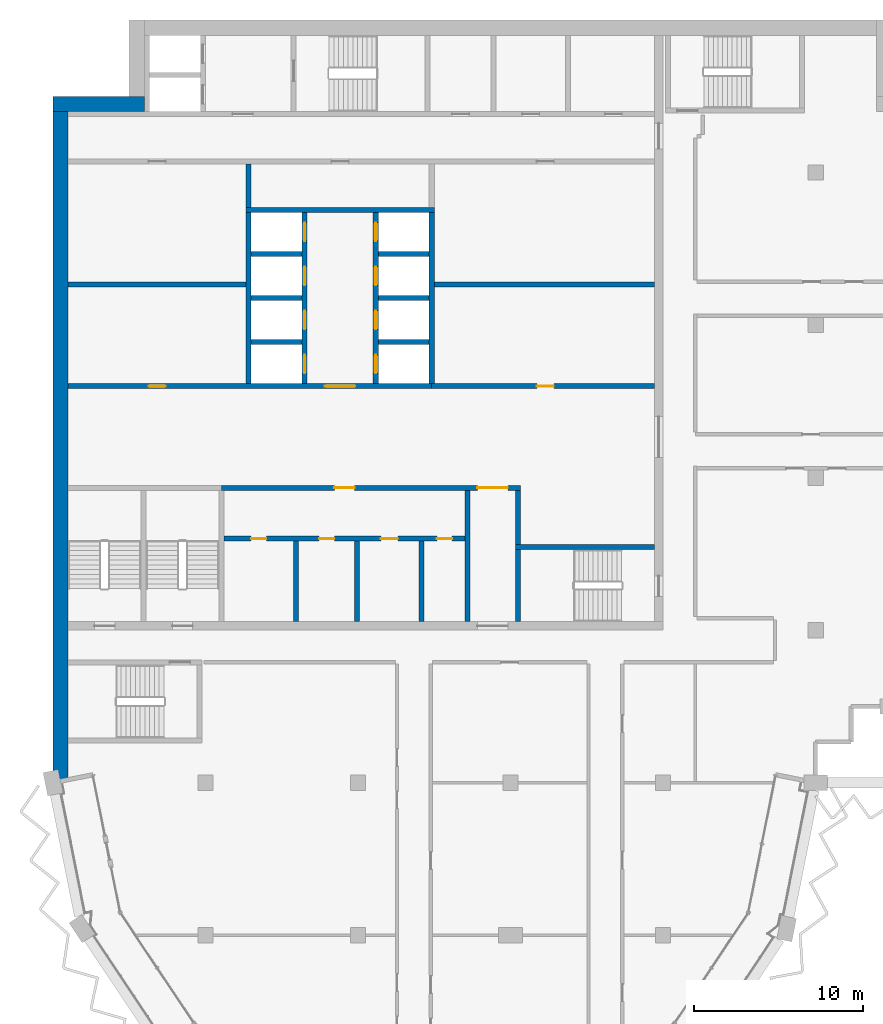
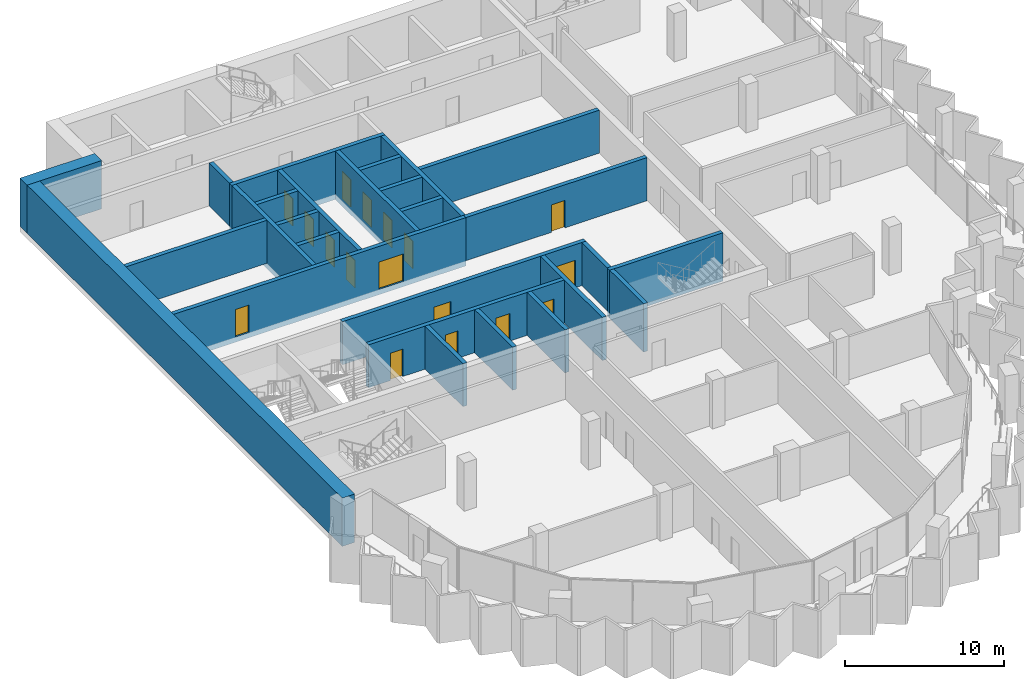
# One storey, part 8 of 14: 27 walls, 17 doors, 17 openings.
"""IFC4 building model written with IfcOpenShell, lengths in metres."""

from ifc_helpers import new_model, si_unit, direction, frame, frame_2d, origin, place, context, subcontext, project, spatial, rectangle, extrude, material, layer, layer_set, type_object, element, fill, save


model = new_model("IFC4")

# Units and contexts
model_context = context("Model", 3, precision=1e-05, world=origin(), true_north=direction((0.0, 1.0)))
body_context = subcontext(model_context, "Body", "Model", "MODEL_VIEW")
ifc_project = project(units=[si_unit("LENGTHUNIT", "METRE"), si_unit("AREAUNIT", "SQUARE_METRE"), si_unit("VOLUMEUNIT", "CUBIC_METRE"), si_unit("PLANEANGLEUNIT", "RADIAN"), si_unit("MASSUNIT", "GRAM", prefix="KILO")], contexts=[model_context])

# Site, building, storey
site_placement = place(None, origin())
site = spatial("IfcSite", under=ifc_project, at=site_placement, CompositionType="ELEMENT")
building_placement = place(site_placement, origin())
building = spatial("IfcBuilding", under=site, at=building_placement, Name="Hunhe Ridgeline Campus", CompositionType="ELEMENT")
storey_placement = place(building_placement, frame((0.0, 0.0, 284.5)))
storey = spatial("IfcBuildingStorey", under=building, at=storey_placement, Name="L73", CompositionType="ELEMENT", Elevation=284.5)

# Wall, openings, doors
ifc_material_1 = material(Name="Masonry concrete blockwork", Category="masonry")
ifc_layer_1 = layer(ifc_material_1, 0.300048828125)
ifc_layer_set_1 = layer_set([ifc_layer_1], Name="Core room partition 300 concrete block")
wall_type_1 = type_object("IfcWallType", Name="Core room partition 300 concrete block", PredefinedType="PARTITIONING", material=ifc_layer_set_1)
wall_1_placement = place(storey_placement, frame((10.10009765625, 68.39990234375, 0.0), z_axis=(0.0, 0.0, 1.0), x_axis=(1.0, 0.0, 0.0)))
wall_1 = element("IfcWall", 1, at=wall_1_placement, inside=storey, type_object=wall_type_1, Name="L73 core partition 5", PredefinedType="PARTITIONING", context=body_context, shape_type="SweptSolid", body=[
    extrude(rectangle(XDim=14.199951171875, YDim=0.300048828125, at=frame_2d((7.10009765625, 0.0))), origin(), (0.0, 0.0, 1.0), 3.300048828125),
])
opening_1_placement = place(wall_1_placement, frame((1.60009765625, 0.0, 0.0)))
opening_1 = element("IfcOpeningElement", 2, at=opening_1_placement, cuts=wall_1, Name="Opening CD8", PredefinedType="OPENING", context=body_context, shape_type="SweptSolid", body=[
    extrude(rectangle(XDim=0.89990234375, YDim=2.10009765625, at=frame_2d((0.449951171875, 1.050048828125))), frame((0.0, 0.14990234375, 0.0), z_axis=(0.0, -1.0, 0.0), x_axis=(1.0, 0.0, 0.0)), (0.0, 0.0, 1.0), 0.300048828125),
])
opening_2_placement = place(wall_1_placement, frame((5.60009765625, 0.0, 0.0)))
opening_2 = element("IfcOpeningElement", 3, at=opening_2_placement, cuts=wall_1, Name="Opening CD9", PredefinedType="OPENING", context=body_context, shape_type="SweptSolid", body=[
    extrude(rectangle(XDim=0.89990234375, YDim=2.10009765625, at=frame_2d((0.449951171875, 1.050048828125))), frame((0.0, 0.14990234375, 0.0), z_axis=(0.0, -1.0, 0.0), x_axis=(1.0, 0.0, 0.0)), (0.0, 0.0, 1.0), 0.300048828125),
])
opening_3_placement = place(wall_1_placement, frame((9.25, 0.0, 0.0)))
opening_3 = element("IfcOpeningElement", 4, at=opening_3_placement, cuts=wall_1, Name="Opening CD10", PredefinedType="OPENING", context=body_context, shape_type="SweptSolid", body=[
    extrude(rectangle(XDim=1.0, YDim=2.10009765625, at=frame_2d((0.5, 1.050048828125))), frame((0.0, 0.14990234375, 0.0), z_axis=(0.0, -1.0, 0.0), x_axis=(1.0, 0.0, 0.0)), (0.0, 0.0, 1.0), 0.300048828125),
])
opening_4_placement = place(wall_1_placement, frame((12.550048828125, 0.0, 0.0)))
opening_4 = element("IfcOpeningElement", 5, at=opening_4_placement, cuts=wall_1, Name="Opening CD11", PredefinedType="OPENING", context=body_context, shape_type="SweptSolid", body=[
    extrude(rectangle(XDim=0.89990234375, YDim=2.10009765625, at=frame_2d((0.449951171875, 1.050048828125))), frame((0.0, 0.14990234375, 0.0), z_axis=(0.0, -1.0, 0.0), x_axis=(1.0, 0.0, 0.0)), (0.0, 0.0, 1.0), 0.300048828125),
])
ifc_material_2 = material(Name="Solid core timber door leaf", Category="wood")
door_type_1 = type_object("IfcDoorType", Name="Timber door 1000x2100", OperationType="SINGLE_SWING_LEFT", PredefinedType="DOOR", material=ifc_material_2)
door_1_placement = place(opening_3_placement, frame((1.0, 0.0, 0.0), z_axis=(0.0, 0.0, 1.0), x_axis=(-1.0, 0.0, 0.0)))
door_1 = element("IfcDoor", 6, at=door_1_placement, inside=storey, type_object=door_type_1, Name="L73 door WC3", OperationType="SINGLE_SWING_LEFT", OverallHeight=2.10009765625, OverallWidth=1.0, PredefinedType="DOOR", context=body_context, shape_type="SweptSolid", body=[
    extrude(rectangle(XDim=1.0, YDim=2.10009765625, at=frame_2d((0.5, 1.050048828125))), frame((0.0, 0.02490234375, 0.0), z_axis=(0.0, -1.0, 0.0), x_axis=(1.0, 0.0, 0.0)), (0.0, 0.0, 1.0), 0.050048828125),
])
fill(opening_3, door_1)
door_type_2 = type_object("IfcDoorType", Name="Timber door 900x2100", OperationType="SINGLE_SWING_LEFT", PredefinedType="DOOR", material=ifc_material_2)
door_2_placement = place(opening_1_placement, frame((0.89990234375, 0.0, 0.0), z_axis=(0.0, 0.0, 1.0), x_axis=(-1.0, 0.0, 0.0)))
door_2 = element("IfcDoor", 7, at=door_2_placement, inside=storey, type_object=door_type_2, Name="L73 door WC1", OperationType="SINGLE_SWING_LEFT", OverallHeight=2.10009765625, OverallWidth=0.89990234375, PredefinedType="DOOR", context=body_context, shape_type="SweptSolid", body=[
    extrude(rectangle(XDim=0.89990234375, YDim=2.10009765625, at=frame_2d((0.449951171875, 1.050048828125))), frame((0.0, 0.02490234375, 0.0), z_axis=(0.0, -1.0, 0.0), x_axis=(1.0, 0.0, 0.0)), (0.0, 0.0, 1.0), 0.050048828125),
])
fill(opening_1, door_2)
door_3_placement = place(opening_2_placement, frame((0.89990234375, 0.0, 0.0), z_axis=(0.0, 0.0, 1.0), x_axis=(-1.0, 0.0, 0.0)))
door_3 = element("IfcDoor", 8, at=door_3_placement, inside=storey, type_object=door_type_2, Name="L73 door WC2", OperationType="SINGLE_SWING_RIGHT", OverallHeight=2.10009765625, OverallWidth=0.89990234375, PredefinedType="DOOR", context=body_context, shape_type="SweptSolid", body=[
    extrude(rectangle(XDim=0.89990234375, YDim=2.10009765625, at=frame_2d((0.449951171875, 1.050048828125))), frame((0.0, 0.02490234375, 0.0), z_axis=(0.0, -1.0, 0.0), x_axis=(1.0, 0.0, 0.0)), (0.0, 0.0, 1.0), 0.050048828125),
])
fill(opening_2, door_3)
door_4_placement = place(opening_4_placement, frame((0.89990234375, 0.0, 0.0), z_axis=(0.0, 0.0, 1.0), x_axis=(-1.0, 0.0, 0.0)))
door_4 = element("IfcDoor", 9, at=door_4_placement, inside=storey, type_object=door_type_2, Name="L73 door WC4", OperationType="SINGLE_SWING_RIGHT", OverallHeight=2.10009765625, OverallWidth=0.89990234375, PredefinedType="DOOR", context=body_context, shape_type="SweptSolid", body=[
    extrude(rectangle(XDim=0.89990234375, YDim=2.10009765625, at=frame_2d((0.449951171875, 1.050048828125))), frame((0.0, 0.02490234375, 0.0), z_axis=(0.0, -1.0, 0.0), x_axis=(1.0, 0.0, 0.0)), (0.0, 0.0, 1.0), 0.050048828125),
])
fill(opening_4, door_4)

wall_2_placement = place(storey_placement, frame((9.949951171875, 71.39990234375, 0.0), z_axis=(0.0, 0.0, 1.0), x_axis=(1.0, 0.0, 0.0)))
wall_2 = element("IfcWall", 10, at=wall_2_placement, inside=storey, type_object=wall_type_1, Name="L73 core partition 7", PredefinedType="PARTITIONING", context=body_context, shape_type="SweptSolid", body=[
    extrude(rectangle(XDim=17.650146484375, YDim=0.300048828125, at=frame_2d((8.8251953125, 0.0))), origin(), (0.0, 0.0, 1.0), 3.300048828125),
])
opening_5_placement = place(wall_2_placement, frame((15.10009765625, 0.0, 0.0)))
opening_5 = element("IfcOpeningElement", 11, at=opening_5_placement, cuts=wall_2, Name="Opening CD7", PredefinedType="OPENING", context=body_context, shape_type="SweptSolid", body=[
    extrude(rectangle(XDim=1.800048828125, YDim=2.10009765625, at=frame_2d((0.89990234375, 1.050048828125))), frame((0.0, 0.14990234375, 0.0), z_axis=(0.0, -1.0, 0.0), x_axis=(1.0, 0.0, 0.0)), (0.0, 0.0, 1.0), 0.300048828125),
])
opening_6_placement = place(wall_2_placement, frame((6.64990234375, 0.0, 0.0)))
opening_6 = element("IfcOpeningElement", 12, at=opening_6_placement, cuts=wall_2, Name="Opening CD37", PredefinedType="OPENING", context=body_context, shape_type="SweptSolid", body=[
    extrude(rectangle(XDim=1.199951171875, YDim=2.10009765625, at=frame_2d((0.60009765625, 1.050048828125))), frame((0.0, 0.14990234375, 0.0), z_axis=(0.0, -1.0, 0.0), x_axis=(1.0, 0.0, 0.0)), (0.0, 0.0, 1.0), 0.300048828125),
])
ifc_material_3 = material(Name="Anodised aluminium and glass", Category="aluminium")
door_type_3 = type_object("IfcDoorType", Name="Glazed double door 1800x2100", OperationType="DOUBLE_DOOR_SINGLE_SWING", PredefinedType="DOOR", material=ifc_material_3)
door_5_placement = place(opening_5_placement, origin())
door_5 = element("IfcDoor", 13, at=door_5_placement, inside=storey, type_object=door_type_3, Name="L73 door VEST-HALL", OperationType="DOUBLE_DOOR_SINGLE_SWING", OverallHeight=2.10009765625, OverallWidth=1.800048828125, PredefinedType="DOOR", context=body_context, shape_type="SweptSolid", body=[
    extrude(rectangle(XDim=1.800048828125, YDim=2.10009765625, at=frame_2d((0.89990234375, 1.050048828125))), frame((0.0, 0.02490234375, 0.0), z_axis=(0.0, -1.0, 0.0), x_axis=(1.0, 0.0, 0.0)), (0.0, 0.0, 1.0), 0.050048828125),
])
fill(opening_5, door_5)
door_type_4 = type_object("IfcDoorType", Name="Timber door 1200x2100", OperationType="SINGLE_SWING_LEFT", PredefinedType="DOOR", material=ifc_material_2)
door_6_placement = place(opening_6_placement, origin())
door_6 = element("IfcDoor", 14, at=door_6_placement, inside=storey, type_object=door_type_4, Name="L73 door WCL1-HALL", OperationType="SINGLE_SWING_RIGHT", OverallHeight=2.10009765625, OverallWidth=1.199951171875, PredefinedType="DOOR", context=body_context, shape_type="SweptSolid", body=[
    extrude(rectangle(XDim=1.199951171875, YDim=2.10009765625, at=frame_2d((0.60009765625, 1.050048828125))), frame((0.0, 0.02490234375, 0.0), z_axis=(0.0, -1.0, 0.0), x_axis=(1.0, 0.0, 0.0)), (0.0, 0.0, 1.0), 0.050048828125),
])
fill(opening_6, door_6)

# Wall, opening, door
wall_3_placement = place(storey_placement, frame((22.35009765625, 77.39990234375, 0.0), z_axis=(0.0, 0.0, 1.0), x_axis=(1.0, 0.0, 0.0)))
wall_3 = element("IfcWall", 15, at=wall_3_placement, inside=storey, type_object=wall_type_1, Name="L73 core partition 9", PredefinedType="PARTITIONING", context=body_context, shape_type="SweptSolid", body=[
    extrude(rectangle(XDim=13.14990234375, YDim=0.300048828125, at=frame_2d((6.574951171875, 0.0))), origin(), (0.0, 0.0, 1.0), 3.300048828125),
])
opening_7_placement = place(wall_3_placement, frame((6.199951171875, 0.0, 0.0)))
opening_7 = element("IfcOpeningElement", 16, at=opening_7_placement, cuts=wall_3, Name="Opening CD32", PredefinedType="OPENING", context=body_context, shape_type="SweptSolid", body=[
    extrude(rectangle(XDim=1.0, YDim=2.10009765625, at=frame_2d((0.5, 1.050048828125))), frame((0.0, 0.14990234375, 0.0), z_axis=(0.0, -1.0, 0.0), x_axis=(1.0, 0.0, 0.0)), (0.0, 0.0, 1.0), 0.300048828125),
])
door_7_placement = place(opening_7_placement, origin())
door_7 = element("IfcDoor", 17, at=door_7_placement, inside=storey, type_object=door_type_1, Name="L73 door ES0", OperationType="SINGLE_SWING_RIGHT", OverallHeight=2.10009765625, OverallWidth=1.0, PredefinedType="DOOR", context=body_context, shape_type="SweptSolid", body=[
    extrude(rectangle(XDim=1.0, YDim=2.10009765625, at=frame_2d((0.5, 1.050048828125))), frame((0.0, 0.02490234375, 0.0), z_axis=(0.0, -1.0, 0.0), x_axis=(1.0, 0.0, 0.0)), (0.0, 0.0, 1.0), 0.050048828125),
])
fill(opening_7, door_7)

# Walls
wall_4_placement = place(storey_placement, frame((0.89990234375, 83.39990234375, 0.0), z_axis=(0.0, 0.0, 1.0), x_axis=(1.0, 0.0, 0.0)))
element("IfcWall", 18, at=wall_4_placement, inside=storey, type_object=wall_type_1, Name="L73 core partition 14", PredefinedType="PARTITIONING", context=body_context, shape_type="SweptSolid", body=[
    extrude(rectangle(XDim=10.5, YDim=0.300048828125, at=frame_2d((5.25, 0.0))), origin(), (0.0, 0.0, 1.0), 3.300048828125),
])
wall_5_placement = place(storey_placement, frame((22.5, 83.39990234375, 0.0), z_axis=(0.0, 0.0, 1.0), x_axis=(1.0, 0.0, 0.0)))
element("IfcWall", 19, at=wall_5_placement, inside=storey, type_object=wall_type_1, Name="L73 core partition 15", PredefinedType="PARTITIONING", context=body_context, shape_type="SweptSolid", body=[
    extrude(rectangle(XDim=13.0, YDim=0.300048828125, at=frame_2d((6.5, 0.0))), origin(), (0.0, 0.0, 1.0), 3.300048828125),
])
wall_6_placement = place(storey_placement, frame((11.550048828125, 87.949951171875, 0.0), z_axis=(0.0, 0.0, 1.0), x_axis=(0.0, 1.0, 0.0)))
element("IfcWall", 20, at=wall_6_placement, inside=storey, type_object=wall_type_1, Name="L73 core partition 29", PredefinedType="PARTITIONING", context=body_context, shape_type="SweptSolid", body=[
    extrude(rectangle(XDim=2.550048828125, YDim=0.300048828125, at=frame_2d((1.27490234375, 0.0))), origin(), (0.0, 0.0, 1.0), 3.300048828125),
])
for number, where, z_axis, x_axis, name in (
    (21, (14.35009765625, 63.5, 0.0), (0.0, 0.0, 1.0), (0.0, 1.0, 0.0), "L73 core partition 31"),
    (22, (17.949951171875, 63.5, 0.0), (0.0, 0.0, 1.0), (0.0, 1.0, 0.0), "L73 core partition 33"),
    (23, (21.75, 63.5, 0.0), (0.0, 0.0, 1.0), (0.0, 1.0, 0.0), "L73 core partition 35"),
):
    element("IfcWall", number, at=place(storey_placement, frame(where, z_axis=z_axis, x_axis=x_axis)), inside=storey, type_object=wall_type_1, Name=name, PredefinedType="PARTITIONING", context=body_context, shape_type="SweptSolid", body=[
        extrude(rectangle(XDim=4.75, YDim=0.300048828125, at=frame_2d((2.375, 0.0))), origin(), (0.0, 0.0, 1.0), 3.300048828125),
    ])
wall_7_placement = place(storey_placement, frame((24.449951171875, 63.5, 0.0), z_axis=(0.0, 0.0, 1.0), x_axis=(0.0, 1.0, 0.0)))
element("IfcWall", 24, at=wall_7_placement, inside=storey, type_object=wall_type_1, Name="L73 core partition 39", PredefinedType="PARTITIONING", context=body_context, shape_type="SweptSolid", body=[
    extrude(rectangle(XDim=7.75, YDim=0.300048828125, at=frame_2d((3.875, 0.0))), origin(), (0.0, 0.0, 1.0), 3.300048828125),
])
wall_8_placement = place(storey_placement, frame((27.449951171875, 68.050048828125, 0.0), z_axis=(0.0, 0.0, 1.0), x_axis=(0.0, 1.0, 0.0)))
element("IfcWall", 25, at=wall_8_placement, inside=storey, type_object=wall_type_1, Name="L73 core partition 42", PredefinedType="PARTITIONING", context=body_context, shape_type="SweptSolid", body=[
    extrude(rectangle(XDim=3.199951171875, YDim=0.300048828125, at=frame_2d((1.60009765625, 0.0))), origin(), (0.0, 0.0, 1.0), 3.300048828125),
])

# Wall, openings, doors
ifc_material_4 = material(Name="Concrete C50", Category="concrete")
ifc_layer_2 = layer(ifc_material_4, 0.300048828125)
ifc_layer_set_2 = layer_set([ifc_layer_2], Name="Shaft wall 300 reinforced concrete C50")
wall_type_2 = type_object("IfcWallType", Name="Shaft wall 300 reinforced concrete C50", PredefinedType="SOLIDWALL", material=ifc_layer_set_2)
wall_9_placement = place(storey_placement, frame((0.89990234375, 77.39990234375, -0.39990234375), z_axis=(0.0, 0.0, 1.0), x_axis=(1.0, 0.0, 0.0)))
wall_9 = element("IfcWall", 26, at=wall_9_placement, inside=storey, type_object=wall_type_2, Name="L73 core wall 8", PredefinedType="SOLIDWALL", context=body_context, shape_type="SweptSolid", body=[
    extrude(rectangle(XDim=21.4501953125, YDim=0.300048828125, at=frame_2d((10.72509765625, 0.0))), origin(), (0.0, 0.0, 1.0), 3.699951171875),
])
opening_8_placement = place(wall_9_placement, frame((15.14990234375, 0.0, 0.39990234375)))
opening_8 = element("IfcOpeningElement", 27, at=opening_8_placement, cuts=wall_9, Name="Opening CD38", PredefinedType="OPENING", context=body_context, shape_type="SweptSolid", body=[
    extrude(rectangle(XDim=1.800048828125, YDim=2.10009765625, at=frame_2d((0.89990234375, 1.050048828125))), frame((0.0, 0.14990234375, 0.0), z_axis=(0.0, -1.0, 0.0), x_axis=(1.0, 0.0, 0.0)), (0.0, 0.0, 1.0), 0.300048828125),
])
opening_9_placement = place(wall_9_placement, frame((4.75, 0.0, 0.39990234375)))
opening_9 = element("IfcOpeningElement", 28, at=opening_9_placement, cuts=wall_9, Name="Opening CD39", PredefinedType="OPENING", context=body_context, shape_type="SweptSolid", body=[
    extrude(rectangle(XDim=1.0, YDim=2.10009765625, at=frame_2d((0.5, 1.050048828125))), frame((0.0, 0.14990234375, 0.0), z_axis=(0.0, -1.0, 0.0), x_axis=(1.0, 0.0, 0.0)), (0.0, 0.0, 1.0), 0.300048828125),
])
ifc_material_5 = material(Name="Hollow metal fire door leaf")
door_type_5 = type_object("IfcDoorType", Name="Lobby door 1800x2100 FD60", OperationType="SINGLE_SWING_LEFT", PredefinedType="DOOR", material=ifc_material_5)
door_8_placement = place(opening_8_placement, frame((1.800048828125, 0.0, 0.0), z_axis=(0.0, 0.0, 1.0), x_axis=(-1.0, 0.0, 0.0)))
door_8 = element("IfcDoor", 29, at=door_8_placement, inside=storey, type_object=door_type_5, Name="L73 door LOB-HR", OperationType="SINGLE_SWING_RIGHT", OverallHeight=2.10009765625, OverallWidth=1.800048828125, PredefinedType="DOOR", context=body_context, shape_type="SweptSolid", body=[
    extrude(rectangle(XDim=1.800048828125, YDim=2.10009765625, at=frame_2d((0.89990234375, 1.050048828125))), frame((0.0, 0.02490234375, 0.0), z_axis=(0.0, -1.0, 0.0), x_axis=(1.0, 0.0, 0.0)), (0.0, 0.0, 1.0), 0.050048828125),
])
fill(opening_8, door_8)
door_9_placement = place(opening_9_placement, origin())
door_9 = element("IfcDoor", 30, at=door_9_placement, inside=storey, type_object=door_type_1, Name="L73 door VD-LR0", OperationType="SINGLE_SWING_LEFT", OverallHeight=2.10009765625, OverallWidth=1.0, PredefinedType="DOOR", context=body_context, shape_type="SweptSolid", body=[
    extrude(rectangle(XDim=1.0, YDim=2.10009765625, at=frame_2d((0.5, 1.050048828125))), frame((0.0, 0.02490234375, 0.0), z_axis=(0.0, -1.0, 0.0), x_axis=(1.0, 0.0, 0.0)), (0.0, 0.0, 1.0), 0.050048828125),
])
fill(opening_9, door_9)

# Walls
for number, where, z_axis, x_axis, name in (
    (31, (11.699951171875, 80.0, -0.39990234375), (0.0, 0.0, 1.0), (1.0, 0.0, 0.0), "L73 core wall 10"),
    (32, (19.199951171875, 80.0, -0.39990234375), (0.0, 0.0, 1.0), (1.0, 0.0, 0.0), "L73 core wall 11"),
    (33, (11.699951171875, 82.60009765625, -0.39990234375), (0.0, 0.0, 1.0), (1.0, 0.0, 0.0), "L73 core wall 12"),
    (34, (19.199951171875, 82.60009765625, -0.39990234375), (0.0, 0.0, 1.0), (1.0, 0.0, 0.0), "L73 core wall 13"),
    (35, (11.699951171875, 85.199951171875, -0.39990234375), (0.0, 0.0, 1.0), (1.0, 0.0, 0.0), "L73 core wall 16"),
    (36, (19.199951171875, 85.199951171875, -0.39990234375), (0.0, 0.0, 1.0), (1.0, 0.0, 0.0), "L73 core wall 17"),
):
    element("IfcWall", number, at=place(storey_placement, frame(where, z_axis=z_axis, x_axis=x_axis)), inside=storey, type_object=wall_type_2, Name=name, PredefinedType="SOLIDWALL", context=body_context, shape_type="SweptSolid", body=[
        extrude(rectangle(XDim=3.0, YDim=0.300048828125, at=frame_2d((1.5, 0.0))), origin(), (0.0, 0.0, 1.0), 3.699951171875),
    ])
wall_10_placement = place(storey_placement, frame((11.39990234375, 87.800048828125, -0.39990234375), z_axis=(0.0, 0.0, 1.0), x_axis=(1.0, 0.0, 0.0)))
element("IfcWall", 37, at=wall_10_placement, inside=storey, type_object=wall_type_2, Name="L73 core wall 18", PredefinedType="SOLIDWALL", context=body_context, shape_type="SweptSolid", body=[
    extrude(rectangle(XDim=11.10009765625, YDim=0.300048828125, at=frame_2d((5.550048828125, 0.0))), origin(), (0.0, 0.0, 1.0), 3.699951171875),
])
wall_11_placement = place(storey_placement, frame((11.550048828125, 77.550048828125, -0.39990234375), z_axis=(0.0, 0.0, 1.0), x_axis=(0.0, 1.0, 0.0)))
element("IfcWall", 38, at=wall_11_placement, inside=storey, type_object=wall_type_2, Name="L73 core wall 28", PredefinedType="SOLIDWALL", context=body_context, shape_type="SweptSolid", body=[
    extrude(rectangle(XDim=10.099853515625, YDim=0.300048828125, at=frame_2d((5.0498046875, 0.0))), origin(), (0.0, 0.0, 1.0), 3.699951171875),
])

# Wall, openings, doors
wall_12_placement = place(storey_placement, frame((14.85009765625, 77.550048828125, -0.39990234375), z_axis=(0.0, 0.0, 1.0), x_axis=(0.0, 1.0, 0.0)))
wall_12 = element("IfcWall", 39, at=wall_12_placement, inside=storey, type_object=wall_type_2, Name="L73 core wall 32", PredefinedType="SOLIDWALL", context=body_context, shape_type="SweptSolid", body=[
    extrude(rectangle(XDim=10.099853515625, YDim=0.300048828125, at=frame_2d((5.0498046875, 0.0))), origin(), (0.0, 0.0, 1.0), 3.699951171875),
])
opening_10_placement = place(wall_12_placement, frame((0.60009765625, 0.0, 0.39990234375)))
opening_10 = element("IfcOpeningElement", 40, at=opening_10_placement, cuts=wall_12, Name="Opening LD-HR1", PredefinedType="OPENING", context=body_context, shape_type="SweptSolid", body=[
    extrude(rectangle(XDim=1.10009765625, YDim=2.10009765625, at=frame_2d((0.550048828125, 1.050048828125))), frame((0.0, 0.14990234375, 0.0), z_axis=(0.0, -1.0, 0.0), x_axis=(1.0, 0.0, 0.0)), (0.0, 0.0, 1.0), 0.300048828125),
])
opening_11_placement = place(wall_12_placement, frame((3.199951171875, 0.0, 0.39990234375)))
opening_11 = element("IfcOpeningElement", 41, at=opening_11_placement, cuts=wall_12, Name="Opening LD-HR2", PredefinedType="OPENING", context=body_context, shape_type="SweptSolid", body=[
    extrude(rectangle(XDim=1.10009765625, YDim=2.10009765625, at=frame_2d((0.550048828125, 1.050048828125))), frame((0.0, 0.14990234375, 0.0), z_axis=(0.0, -1.0, 0.0), x_axis=(1.0, 0.0, 0.0)), (0.0, 0.0, 1.0), 0.300048828125),
])
opening_12_placement = place(wall_12_placement, frame((5.800048828125, 0.0, 0.39990234375)))
opening_12 = element("IfcOpeningElement", 42, at=opening_12_placement, cuts=wall_12, Name="Opening LD-HR3", PredefinedType="OPENING", context=body_context, shape_type="SweptSolid", body=[
    extrude(rectangle(XDim=1.10009765625, YDim=2.10009765625, at=frame_2d((0.550048828125, 1.050048828125))), frame((0.0, 0.14990234375, 0.0), z_axis=(0.0, -1.0, 0.0), x_axis=(1.0, 0.0, 0.0)), (0.0, 0.0, 1.0), 0.300048828125),
])
opening_13_placement = place(wall_12_placement, frame((8.39990234375, 0.0, 0.39990234375)))
opening_13 = element("IfcOpeningElement", 43, at=opening_13_placement, cuts=wall_12, Name="Opening LD-HR4", PredefinedType="OPENING", context=body_context, shape_type="SweptSolid", body=[
    extrude(rectangle(XDim=1.10009765625, YDim=2.10009765625, at=frame_2d((0.550048828125, 1.050048828125))), frame((0.0, 0.14990234375, 0.0), z_axis=(0.0, -1.0, 0.0), x_axis=(1.0, 0.0, 0.0)), (0.0, 0.0, 1.0), 0.300048828125),
])
ifc_material_6 = material(Name="Stainless steel sliding leaves", Category="steel")
door_type_6 = type_object("IfcDoorType", Name="Landing door 1100x2100 FD120", OperationType="SLIDING_TO_LEFT", PredefinedType="DOOR", material=ifc_material_6)
door_10_placement = place(opening_10_placement, origin())
door_10 = element("IfcDoor", 44, at=door_10_placement, inside=storey, type_object=door_type_6, Name="L73 landing door HR1", OperationType="SLIDING_TO_RIGHT", OverallHeight=2.10009765625, OverallWidth=1.10009765625, PredefinedType="DOOR", context=body_context, shape_type="SweptSolid", body=[
    extrude(rectangle(XDim=1.10009765625, YDim=2.10009765625, at=frame_2d((0.550048828125, 1.050048828125))), frame((0.0, 0.02490234375, 0.0), z_axis=(0.0, -1.0, 0.0), x_axis=(1.0, 0.0, 0.0)), (0.0, 0.0, 1.0), 0.050048828125),
])
fill(opening_10, door_10)
door_11_placement = place(opening_11_placement, origin())
door_11 = element("IfcDoor", 45, at=door_11_placement, inside=storey, type_object=door_type_6, Name="L73 landing door HR2", OperationType="SLIDING_TO_LEFT", OverallHeight=2.10009765625, OverallWidth=1.10009765625, PredefinedType="DOOR", context=body_context, shape_type="SweptSolid", body=[
    extrude(rectangle(XDim=1.10009765625, YDim=2.10009765625, at=frame_2d((0.550048828125, 1.050048828125))), frame((0.0, 0.02490234375, 0.0), z_axis=(0.0, -1.0, 0.0), x_axis=(1.0, 0.0, 0.0)), (0.0, 0.0, 1.0), 0.050048828125),
])
fill(opening_11, door_11)
door_12_placement = place(opening_12_placement, origin())
door_12 = element("IfcDoor", 46, at=door_12_placement, inside=storey, type_object=door_type_6, Name="L73 landing door HR3", OperationType="SLIDING_TO_RIGHT", OverallHeight=2.10009765625, OverallWidth=1.10009765625, PredefinedType="DOOR", context=body_context, shape_type="SweptSolid", body=[
    extrude(rectangle(XDim=1.10009765625, YDim=2.10009765625, at=frame_2d((0.550048828125, 1.050048828125))), frame((0.0, 0.02490234375, 0.0), z_axis=(0.0, -1.0, 0.0), x_axis=(1.0, 0.0, 0.0)), (0.0, 0.0, 1.0), 0.050048828125),
])
fill(opening_12, door_12)
door_13_placement = place(opening_13_placement, origin())
door_13 = element("IfcDoor", 47, at=door_13_placement, inside=storey, type_object=door_type_6, Name="L73 landing door HR4", OperationType="SLIDING_TO_LEFT", OverallHeight=2.10009765625, OverallWidth=1.10009765625, PredefinedType="DOOR", context=body_context, shape_type="SweptSolid", body=[
    extrude(rectangle(XDim=1.10009765625, YDim=2.10009765625, at=frame_2d((0.550048828125, 1.050048828125))), frame((0.0, 0.02490234375, 0.0), z_axis=(0.0, -1.0, 0.0), x_axis=(1.0, 0.0, 0.0)), (0.0, 0.0, 1.0), 0.050048828125),
])
fill(opening_13, door_13)

wall_13_placement = place(storey_placement, frame((19.050048828125, 77.550048828125, -0.39990234375), z_axis=(0.0, 0.0, 1.0), x_axis=(0.0, 1.0, 0.0)))
wall_13 = element("IfcWall", 48, at=wall_13_placement, inside=storey, type_object=wall_type_2, Name="L73 core wall 34", PredefinedType="SOLIDWALL", context=body_context, shape_type="SweptSolid", body=[
    extrude(rectangle(XDim=10.099853515625, YDim=0.300048828125, at=frame_2d((5.0498046875, 0.0))), origin(), (0.0, 0.0, 1.0), 3.699951171875),
])
opening_14_placement = place(wall_13_placement, frame((0.60009765625, 0.0, 0.39990234375)))
opening_14 = element("IfcOpeningElement", 49, at=opening_14_placement, cuts=wall_13, Name="Opening LD-HR5", PredefinedType="OPENING", context=body_context, shape_type="SweptSolid", body=[
    extrude(rectangle(XDim=1.10009765625, YDim=2.10009765625, at=frame_2d((0.550048828125, 1.050048828125))), frame((0.0, 0.14990234375, 0.0), z_axis=(0.0, -1.0, 0.0), x_axis=(1.0, 0.0, 0.0)), (0.0, 0.0, 1.0), 0.300048828125),
])
opening_15_placement = place(wall_13_placement, frame((3.199951171875, 0.0, 0.39990234375)))
opening_15 = element("IfcOpeningElement", 50, at=opening_15_placement, cuts=wall_13, Name="Opening LD-HR6", PredefinedType="OPENING", context=body_context, shape_type="SweptSolid", body=[
    extrude(rectangle(XDim=1.10009765625, YDim=2.10009765625, at=frame_2d((0.550048828125, 1.050048828125))), frame((0.0, 0.14990234375, 0.0), z_axis=(0.0, -1.0, 0.0), x_axis=(1.0, 0.0, 0.0)), (0.0, 0.0, 1.0), 0.300048828125),
])
opening_16_placement = place(wall_13_placement, frame((5.800048828125, 0.0, 0.39990234375)))
opening_16 = element("IfcOpeningElement", 51, at=opening_16_placement, cuts=wall_13, Name="Opening LD-HR7", PredefinedType="OPENING", context=body_context, shape_type="SweptSolid", body=[
    extrude(rectangle(XDim=1.10009765625, YDim=2.10009765625, at=frame_2d((0.550048828125, 1.050048828125))), frame((0.0, 0.14990234375, 0.0), z_axis=(0.0, -1.0, 0.0), x_axis=(1.0, 0.0, 0.0)), (0.0, 0.0, 1.0), 0.300048828125),
])
opening_17_placement = place(wall_13_placement, frame((8.39990234375, 0.0, 0.39990234375)))
opening_17 = element("IfcOpeningElement", 52, at=opening_17_placement, cuts=wall_13, Name="Opening LD-HR8", PredefinedType="OPENING", context=body_context, shape_type="SweptSolid", body=[
    extrude(rectangle(XDim=1.10009765625, YDim=2.10009765625, at=frame_2d((0.550048828125, 1.050048828125))), frame((0.0, 0.14990234375, 0.0), z_axis=(0.0, -1.0, 0.0), x_axis=(1.0, 0.0, 0.0)), (0.0, 0.0, 1.0), 0.300048828125),
])
door_14_placement = place(opening_14_placement, origin())
door_14 = element("IfcDoor", 53, at=door_14_placement, inside=storey, type_object=door_type_6, Name="L73 landing door HR5", OperationType="SLIDING_TO_RIGHT", OverallHeight=2.10009765625, OverallWidth=1.10009765625, PredefinedType="DOOR", context=body_context, shape_type="SweptSolid", body=[
    extrude(rectangle(XDim=1.10009765625, YDim=2.10009765625, at=frame_2d((0.550048828125, 1.050048828125))), frame((0.0, 0.02490234375, 0.0), z_axis=(0.0, -1.0, 0.0), x_axis=(1.0, 0.0, 0.0)), (0.0, 0.0, 1.0), 0.050048828125),
])
fill(opening_14, door_14)
door_15_placement = place(opening_15_placement, origin())
door_15 = element("IfcDoor", 54, at=door_15_placement, inside=storey, type_object=door_type_6, Name="L73 landing door HR6", OperationType="SLIDING_TO_LEFT", OverallHeight=2.10009765625, OverallWidth=1.10009765625, PredefinedType="DOOR", context=body_context, shape_type="SweptSolid", body=[
    extrude(rectangle(XDim=1.10009765625, YDim=2.10009765625, at=frame_2d((0.550048828125, 1.050048828125))), frame((0.0, 0.02490234375, 0.0), z_axis=(0.0, -1.0, 0.0), x_axis=(1.0, 0.0, 0.0)), (0.0, 0.0, 1.0), 0.050048828125),
])
fill(opening_15, door_15)
door_16_placement = place(opening_16_placement, origin())
door_16 = element("IfcDoor", 55, at=door_16_placement, inside=storey, type_object=door_type_6, Name="L73 landing door HR7", OperationType="SLIDING_TO_RIGHT", OverallHeight=2.10009765625, OverallWidth=1.10009765625, PredefinedType="DOOR", context=body_context, shape_type="SweptSolid", body=[
    extrude(rectangle(XDim=1.10009765625, YDim=2.10009765625, at=frame_2d((0.550048828125, 1.050048828125))), frame((0.0, 0.02490234375, 0.0), z_axis=(0.0, -1.0, 0.0), x_axis=(1.0, 0.0, 0.0)), (0.0, 0.0, 1.0), 0.050048828125),
])
fill(opening_16, door_16)
door_17_placement = place(opening_17_placement, origin())
door_17 = element("IfcDoor", 56, at=door_17_placement, inside=storey, type_object=door_type_6, Name="L73 landing door HR8", OperationType="SLIDING_TO_LEFT", OverallHeight=2.10009765625, OverallWidth=1.10009765625, PredefinedType="DOOR", context=body_context, shape_type="SweptSolid", body=[
    extrude(rectangle(XDim=1.10009765625, YDim=2.10009765625, at=frame_2d((0.550048828125, 1.050048828125))), frame((0.0, 0.02490234375, 0.0), z_axis=(0.0, -1.0, 0.0), x_axis=(1.0, 0.0, 0.0)), (0.0, 0.0, 1.0), 0.050048828125),
])
fill(opening_17, door_17)

# Walls
wall_14_placement = place(storey_placement, frame((22.35009765625, 77.550048828125, -0.39990234375), z_axis=(0.0, 0.0, 1.0), x_axis=(0.0, 1.0, 0.0)))
element("IfcWall", 57, at=wall_14_placement, inside=storey, type_object=wall_type_2, Name="L73 core wall 37", PredefinedType="SOLIDWALL", context=body_context, shape_type="SweptSolid", body=[
    extrude(rectangle(XDim=10.099853515625, YDim=0.300048828125, at=frame_2d((5.0498046875, 0.0))), origin(), (0.0, 0.0, 1.0), 3.699951171875),
])
ifc_layer_3 = layer(ifc_material_4, 0.89990234375)
ifc_layer_set_3 = layer_set([ifc_layer_3], Name="Spine wall 900 Concrete C50")
wall_type_3 = type_object("IfcWallType", Name="Spine wall 900 Concrete C50", PredefinedType="SHEAR", material=ifc_layer_set_3)
wall_15_placement = place(storey_placement, frame((0.449951171875, 94.5, 0.0), z_axis=(0.0, 0.0, 1.0), x_axis=(0.0, -1.0, 0.0)))
element("IfcWall", 58, at=wall_15_placement, inside=storey, type_object=wall_type_3, Name="Spine wall SW4-1 L73", PredefinedType="SHEAR", context=body_context, shape_type="SweptSolid", body=[
    extrude(rectangle(XDim=40.45556640625, YDim=0.89990234375, at=frame_2d((20.227783203125, 0.0))), origin(), (0.0, 0.0, 1.0), 3.699951171875),
])
wall_16_placement = place(storey_placement, frame((5.400146484375, 94.050048828125, 0.0), z_axis=(0.0, 0.0, 1.0), x_axis=(-1.0, 0.0, 0.0)))
element("IfcWall", 59, at=wall_16_placement, inside=storey, type_object=wall_type_3, Name="Spine wall SW4-6 L73", PredefinedType="SHEAR", context=body_context, shape_type="SweptSolid", body=[
    extrude(rectangle(XDim=5.400146484375, YDim=0.89990234375, at=frame_2d((2.7001953125, 0.0))), origin(), (0.0, 0.0, 1.0), 3.699951171875),
])
ifc_layer_4 = layer(ifc_material_4, 0.300048828125)
ifc_layer_set_4 = layer_set([ifc_layer_4], Name="Stair wall 300 reinforced concrete C50")
wall_type_4 = type_object("IfcWallType", Name="Stair wall 300 reinforced concrete C50", PredefinedType="SOLIDWALL", material=ifc_layer_set_4)
wall_17_placement = place(storey_placement, frame((27.300048828125, 67.89990234375, -0.39990234375), z_axis=(0.0, 0.0, 1.0), x_axis=(1.0, 0.0, 0.0)))
element("IfcWall", 60, at=wall_17_placement, inside=storey, type_object=wall_type_4, Name="L73 core wall 4", PredefinedType="SOLIDWALL", context=body_context, shape_type="SweptSolid", body=[
    extrude(rectangle(XDim=8.199951171875, YDim=0.300048828125, at=frame_2d((4.10009765625, 0.0))), origin(), (0.0, 0.0, 1.0), 3.699951171875),
])
wall_18_placement = place(storey_placement, frame((27.449951171875, 63.5, -0.39990234375), z_axis=(0.0, 0.0, 1.0), x_axis=(0.0, 1.0, 0.0)))
element("IfcWall", 61, at=wall_18_placement, inside=storey, type_object=wall_type_4, Name="L73 core wall 41", PredefinedType="SOLIDWALL", context=body_context, shape_type="SweptSolid", body=[
    extrude(rectangle(XDim=4.25, YDim=0.300048828125, at=frame_2d((2.125, 0.0))), origin(), (0.0, 0.0, 1.0), 3.699951171875),
])

save(model, "model.ifc")
